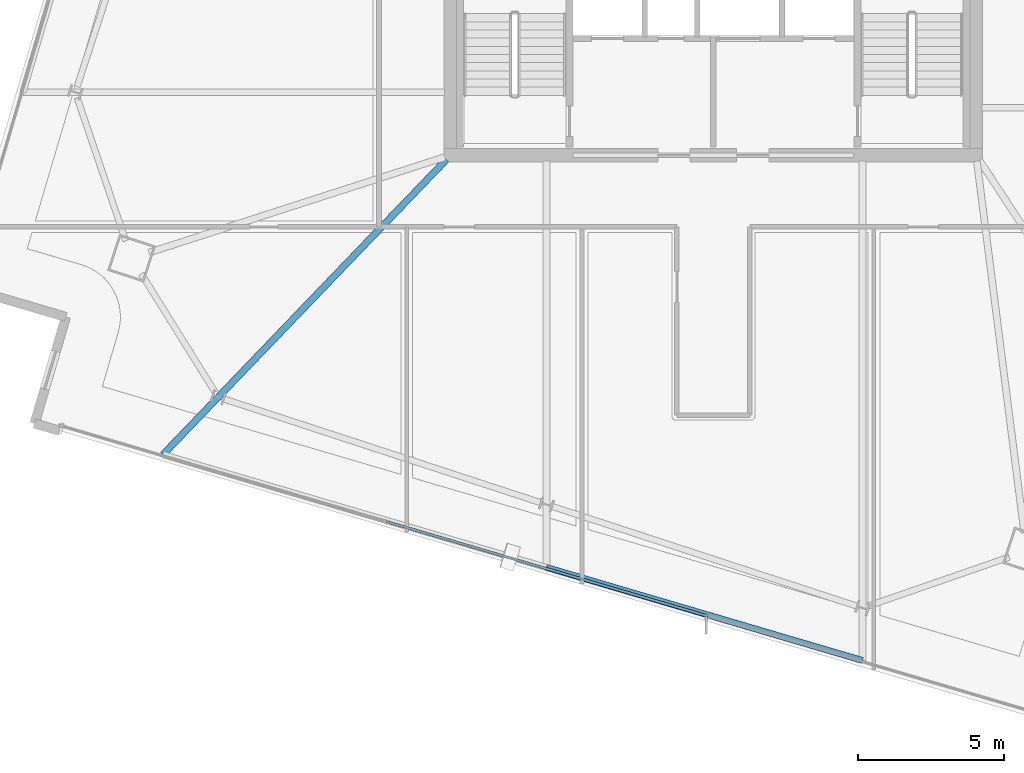
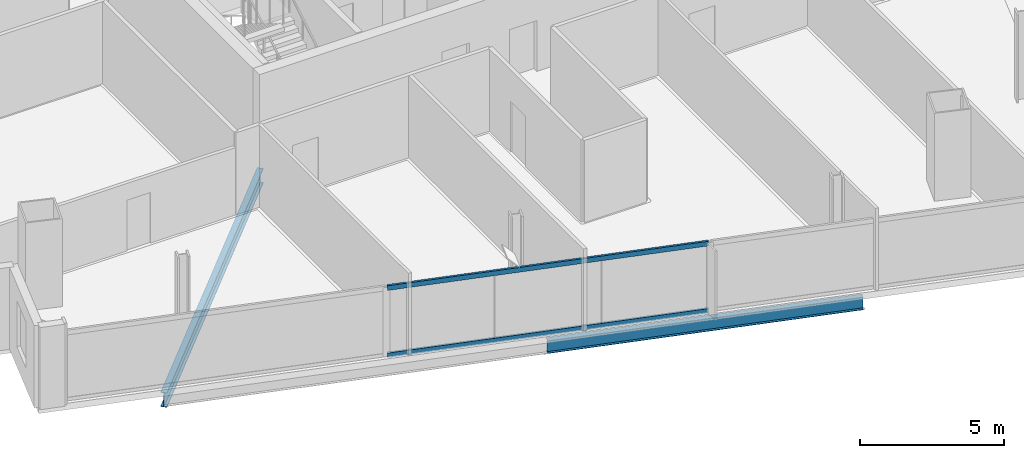
# One storey, part 3 of 26: 2 beams, 2 members, 1 element without a shape of its own.
"""IFC4 building model written with IfcOpenShell, lengths in metres."""

from ifc_helpers import new_model, si_unit, direction, frame, origin, origin_2d, place, context, subcontext, project, spatial, hollow_rectangle, i_section, extrude, material, material_profile, profile_set, type_object, element, aggregate, save


model = new_model("IFC4")

# Units and contexts
model_context = context("Model", 3, precision=1e-05, world=origin(), true_north=direction((0.0, 1.0)))
body_context = subcontext(model_context, "Body", "Model", "MODEL_VIEW")
ifc_project = project(units=[si_unit("LENGTHUNIT", "METRE"), si_unit("AREAUNIT", "SQUARE_METRE"), si_unit("VOLUMEUNIT", "CUBIC_METRE"), si_unit("PLANEANGLEUNIT", "RADIAN"), si_unit("MASSUNIT", "GRAM", prefix="KILO")], contexts=[model_context])

# Site, building, storey
site_placement = place(None, origin())
site = spatial("IfcSite", under=ifc_project, at=site_placement, CompositionType="ELEMENT")
building_placement = place(site_placement, origin())
building = spatial("IfcBuilding", under=site, at=building_placement, Name="Haldenkirk Collegiate Tower", CompositionType="ELEMENT")
storey_placement = place(building_placement, frame((0.0, 0.0, 274.949951171875)))
storey = spatial("IfcBuildingStorey", under=building, at=storey_placement, Name="L69", CompositionType="ELEMENT", Elevation=274.949951171875)

# Beams
ifc_material_1 = material(Name="Steel ASTM A992 Grade 50", Category="steel")
ifc_material_profile_1 = material_profile(ifc_material_1, i_section(OverallWidth=0.22998046875, OverallDepth=0.616943359375, WebThickness=0.01318359375, FlangeThickness=0.022216796875, at=origin_2d()), Name="W24X94")
ifc_profile_set_1 = profile_set([ifc_material_profile_1], Name="Steel ASTM A992 Grade 50")
beam_type_1 = type_object("IfcBeamType", Name="BM-GIRDER-W24X94", PredefinedType="BEAM", material=ifc_profile_set_1)
beam_1_placement = place(storey_placement, frame((17.152587890625, 7.748779296875, -0.578369140625), z_axis=(0.692752709401, 0.721175210069, 0.0), x_axis=(-0.721175210069, 0.692752709401, 0.0)))
element("IfcBeam", 1, at=beam_1_placement, inside=storey, type_object=beam_type_1, Name="L69 primary floor girder 14", PredefinedType="BEAM", context=body_context, shape_type="SweptSolid", body=[
    extrude(i_section(OverallWidth=0.22998046875, OverallDepth=0.616943359375, WebThickness=0.01318359375, FlangeThickness=0.022216796875, at=origin_2d()), origin(), (0.0, 0.0, 1.0), 14.009765625),
])
ifc_material_profile_2 = material_profile(ifc_material_1, i_section(OverallWidth=0.2099609375, OverallDepth=0.537109375, WebThickness=0.010986328125, FlangeThickness=0.017333984375, at=origin_2d()), Name="W21X68")
ifc_profile_set_2 = profile_set([ifc_material_profile_2], Name="Steel ASTM A992 Grade 50")
beam_type_2 = type_object("IfcBeamType", Name="BM-SPANDREL-W21X68", PredefinedType="SPANDREL", material=ifc_profile_set_2)
beam_2_placement = place(storey_placement, frame((30.283203125, 3.884521484375, -0.538330078125), z_axis=(0.959309341185, -0.282357199157, 0.0), x_axis=(0.282357199157, 0.959309341185, 0.0)))
element("IfcBeam", 2, at=beam_2_placement, inside=storey, type_object=beam_type_2, Name="L69 outer facade edge beam 4B", PredefinedType="SPANDREL", context=body_context, shape_type="SweptSolid", body=[
    extrude(i_section(OverallWidth=0.2099609375, OverallDepth=0.537109375, WebThickness=0.010986328125, FlangeThickness=0.017333984375, at=origin_2d()), origin(), (0.0, 0.0, 1.0), 11.287109375),
])

# Curtain wall, members
ifc_material_2 = material(Name="Anodised architectural bronze aluminium", Category="aluminium")
curtain_wall_type = type_object("IfcCurtainWallType", Name="CW-SYS1B-CONVEX-HI", PredefinedType="USERDEFINED", material=ifc_material_2)
curtain_wall_placement = place(storey_placement, origin())
curtain_wall = element("IfcCurtainWall", 3, at=curtain_wall_placement, inside=storey, type_object=curtain_wall_type, Name="L69 Upper tower high-wind convex bronze unitised curtain wall", ObjectType="UNITISED CURTAIN WALL", PredefinedType="USERDEFINED")
ifc_material_profile_3 = material_profile(ifc_material_2, hollow_rectangle(XDim=0.0849609375, YDim=0.199951171875, WallThickness=0.0048828125, at=origin_2d()), Name="CW-TRN-1B")
ifc_profile_set_3 = profile_set([ifc_material_profile_3], Name="Anodised architectural bronze aluminium")
member_type = type_object("IfcMemberType", Name="CW-TRN-1B", PredefinedType="USERDEFINED", material=ifc_profile_set_3)
member_1_placement = place(storey_placement, frame((35.801513671875, 2.218505859375, 0.04248046875), z_axis=(-0.95931194848, 0.282348340713, 0.0), x_axis=(-0.282348340713, -0.95931194848, 0.0)))
member_1 = element("IfcMember", 4, at=member_1_placement, type_object=member_type, Name="CW-1B transom 2.1", ObjectType="TRANSOM", PredefinedType="USERDEFINED", context=body_context, shape_type="SweptSolid", body=[
    extrude(hollow_rectangle(XDim=0.0849609375, YDim=0.199951171875, WallThickness=0.0048828125, at=origin_2d()), origin(), (0.0, 0.0, 1.0), 11.473388671875),
])
member_2_placement = place(storey_placement, frame((35.801513671875, 2.218505859375, 2.8955078125), z_axis=(-0.95931194848, 0.282348340713, 0.0), x_axis=(-0.282348340713, -0.95931194848, 0.0)))
member_2 = element("IfcMember", 5, at=member_2_placement, type_object=member_type, Name="CW-1B transom 2.2", ObjectType="TRANSOM", PredefinedType="USERDEFINED", context=body_context, shape_type="SweptSolid", body=[
    extrude(hollow_rectangle(XDim=0.0849609375, YDim=0.199951171875, WallThickness=0.0048828125, at=origin_2d()), origin(), (0.0, 0.0, 1.0), 11.473388671875),
])
aggregate(curtain_wall, [member_1, member_2])

save(model, "model.ifc")
